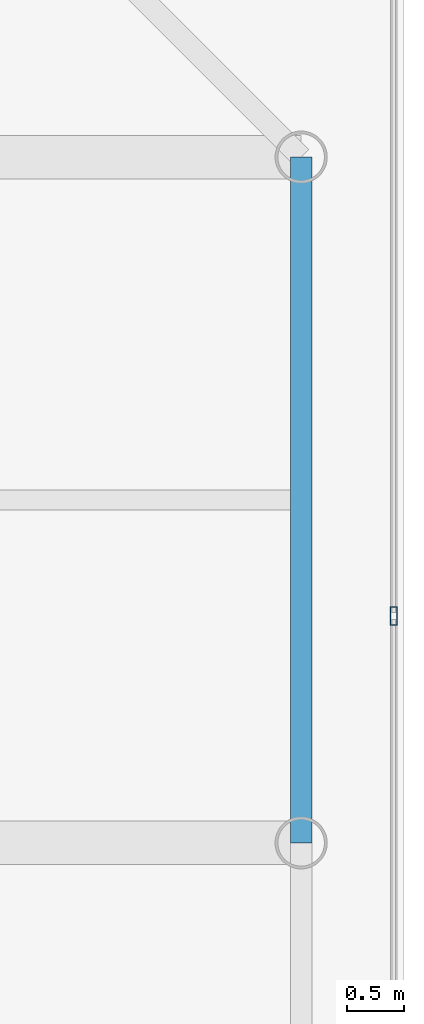
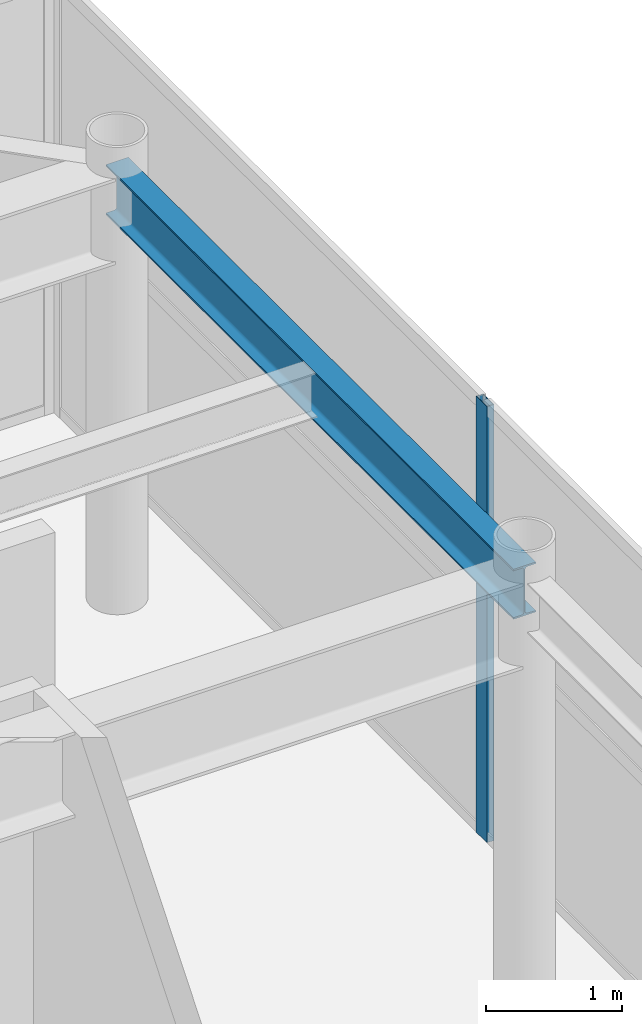
# One storey, part 19 of 32: 1 beam, 1 member, 1 element without a shape of its own.
"""IFC4 building model written with IfcOpenShell, lengths in metres."""

import ifcopenshell
import ifcopenshell.guid

model = None  # the IFC model being written
_history = None  # IfcOwnerHistory: only IFC2X3 demands one
_inside = {}  # id of a spatial element -> (the spatial element, [elements in it])
_under = {}  # id of a project, library or spatial element -> (it, [spatial elements below it])
_declared = {}  # id of a project -> (the project, [libraries it declares])
_typed = {}  # id of a type object -> (the type object, [elements of that type])
_made_of = {}  # id of a material, layer set ... -> (it, [elements and type objects made of it])


def new_model(schema):
    """Start an empty IFC model of exactly this schema.

    Asked for "IFC4X3", IfcOpenShell would pick the latest addendum, in which some entities
    have other attributes; the version numbers below select the first issue.
    IFC2X3 requires an IfcOwnerHistory on every rooted entity: one is made here for all.
    """
    global model, _history
    if schema == "IFC4X3":
        model = ifcopenshell.file(schema_version=(4, 3, 0, 0))
    else:
        model = ifcopenshell.file(schema=schema)
    _inside.clear()
    _under.clear()
    _declared.clear()
    _typed.clear()
    _made_of.clear()
    _history = None
    if model.schema == "IFC2X3":
        org = make("IfcOrganization", Name="unknown")
        user = make(
            "IfcPersonAndOrganization",
            ThePerson=make("IfcPerson", FamilyName="unknown"),
            TheOrganization=org,
        )
        app = make(
            "IfcApplication",
            ApplicationDeveloper=org,
            Version="unknown",
            ApplicationFullName="unknown",
            ApplicationIdentifier="unknown",
        )
        _history = make(
            "IfcOwnerHistory",
            OwningUser=user,
            OwningApplication=app,
            ChangeAction="ADDED",
            CreationDate=0,
        )
    return model


def make(cls, **values):
    """One entity of the class cls with the attributes given. An attribute that is None is left unset."""
    return model.create_entity(
        cls, **{name: value for name, value in values.items() if value is not None}
    )


def rooted(cls, **values):
    """An entity with a GlobalId (a new one), such as an element, a storey or a relation."""
    return make(cls, GlobalId=ifcopenshell.guid.new(), OwnerHistory=_history, **values)


def si_unit(unit_type, name, prefix=None):
    """IfcSIUnit, for example si_unit("LENGTHUNIT", "METRE", prefix="MILLI")."""
    return make("IfcSIUnit", UnitType=unit_type, Prefix=prefix, Name=name)


def assignment(units):
    """IfcUnitAssignment: the units of a project."""
    return None if units is None else make("IfcUnitAssignment", Units=units)


def point(xyz):
    """IfcCartesianPoint."""
    return None if xyz is None else make("IfcCartesianPoint", Coordinates=xyz)


def direction(xyz):
    """IfcDirection."""
    return None if xyz is None else make("IfcDirection", DirectionRatios=xyz)


def frame(location, z_axis=None, x_axis=None):
    """IfcAxis2Placement3D, a coordinate frame: its origin and axes. An axis left out is left unset."""
    return make(
        "IfcAxis2Placement3D",
        Location=point(location),
        Axis=direction(z_axis),
        RefDirection=direction(x_axis),
    )


def frame_2d(location, x_axis=None):
    """IfcAxis2Placement2D, a coordinate frame in the plane: its origin and x axis."""
    return make(
        "IfcAxis2Placement2D", Location=point(location), RefDirection=direction(x_axis)
    )


def origin():
    """The frame at (0, 0, 0) with its axes left unset."""
    return frame((0.0, 0.0, 0.0))


def origin_2d():
    """The frame at (0, 0) in the plane with its x axis left unset."""
    return frame_2d((0.0, 0.0))


def place(relative_to, where):
    """IfcLocalPlacement: puts the frame where relative to a parent placement (None: the world)."""
    return make(
        "IfcLocalPlacement", PlacementRelTo=relative_to, RelativePlacement=where
    )


def context(
    kind, dimensions, precision=None, world=None, true_north=None, identifier=None
):
    """IfcGeometricRepresentationContext, for example the 3D "Model" context."""
    return make(
        "IfcGeometricRepresentationContext",
        ContextIdentifier=identifier,
        ContextType=kind,
        CoordinateSpaceDimension=dimensions,
        Precision=precision,
        WorldCoordinateSystem=world,
        TrueNorth=true_north,
    )


def subcontext(parent, identifier, kind, view, scale=None):
    """IfcGeometricRepresentationSubContext, for example "Body" below "Model"."""
    return make(
        "IfcGeometricRepresentationSubContext",
        ContextIdentifier=identifier,
        ContextType=kind,
        ParentContext=parent,
        TargetScale=scale,
        TargetView=view,
    )


def project(units=None, contexts=None):
    """IfcProject with its units and contexts."""
    return rooted(
        "IfcProject",
        Name="project",
        RepresentationContexts=contexts,
        UnitsInContext=assignment(units),
    )


def spatial(cls, under=None, at=None, **own):
    """A site, building, storey or space (cls), placed at a placement, below another one or the project."""
    s = rooted(cls, ObjectPlacement=at, **own)
    if under is not None:
        _under.setdefault(under.id(), (under, []))[1].append(s)
    return s


def profile(cls, at=None, kind="AREA", **sizes):
    """A parametric profile (cls). Its sizes go by their IFC names, for example OverallWidth=200.0."""
    return make(cls, ProfileType=kind, Position=at, **sizes)


def hollow_rectangle(**sizes):
    """IfcRectangleHollowProfileDef."""
    return profile("IfcRectangleHollowProfileDef", **sizes)


def i_section(**sizes):
    """IfcIShapeProfileDef."""
    return profile("IfcIShapeProfileDef", **sizes)


def extrude(swept, where, along, depth):
    """IfcExtrudedAreaSolid: the profile swept, set in the frame where, extruded along a direction by depth."""
    return make(
        "IfcExtrudedAreaSolid",
        SweptArea=swept,
        Position=where,
        ExtrudedDirection=direction(along),
        Depth=depth,
    )


def shape(context_of_items, identifier, shape_type, items):
    """IfcShapeRepresentation: the items that make up one representation, for example the "Body"."""
    return make(
        "IfcShapeRepresentation",
        ContextOfItems=context_of_items,
        RepresentationIdentifier=identifier,
        RepresentationType=shape_type,
        Items=items,
    )


def source(mapping_origin, context_of_items, identifier, shape_type, items):
    """IfcRepresentationMap: a shape defined once, which mapped items show again and again."""
    return make(
        "IfcRepresentationMap",
        MappingOrigin=mapping_origin,
        MappedRepresentation=shape(context_of_items, identifier, shape_type, items),
    )


def transform(
    local_origin,
    x_axis=None,
    y_axis=None,
    z_axis=None,
    scale=None,
    scale2=None,
    scale3=None,
    uniform=True,
):
    """IfcCartesianTransformationOperator3D, or its non-uniform kind. x_axis, y_axis, z_axis: its Axis1, 2, 3."""
    if uniform:
        return make(
            "IfcCartesianTransformationOperator3D",
            Axis1=direction(x_axis),
            Axis2=direction(y_axis),
            LocalOrigin=point(local_origin),
            Scale=scale,
            Axis3=direction(z_axis),
        )
    return make(
        "IfcCartesianTransformationOperator3DnonUniform",
        Axis1=direction(x_axis),
        Axis2=direction(y_axis),
        LocalOrigin=point(local_origin),
        Scale=scale,
        Axis3=direction(z_axis),
        Scale2=scale2,
        Scale3=scale3,
    )


def mapped(mapping_source, mapping_target):
    """IfcMappedItem: shows the shape of a source again, moved by a transform."""
    return make(
        "IfcMappedItem", MappingSource=mapping_source, MappingTarget=mapping_target
    )


def material(Name=None, Category=None):
    """IfcMaterial."""
    return make("IfcMaterial", Name=Name, Category=Category)


def layer(
    of_material, thickness, ventilated=None, Name=None, Category=None, Priority=None
):
    """IfcMaterialLayer: one layer of a wall or slab, of a material (None: an air gap)."""
    return make(
        "IfcMaterialLayer",
        Material=of_material,
        LayerThickness=thickness,
        IsVentilated=ventilated,
        Name=Name,
        Category=Category,
        Priority=Priority,
    )


def layer_set(layers, Name=None):
    """IfcMaterialLayerSet."""
    return make("IfcMaterialLayerSet", MaterialLayers=layers, LayerSetName=Name)


def material_profile(
    of_material, cross_section, Name=None, Category=None, Priority=None
):
    """IfcMaterialProfile: a cross section and its material."""
    return make(
        "IfcMaterialProfile",
        Name=Name,
        Material=of_material,
        Profile=cross_section,
        Priority=Priority,
        Category=Category,
    )


def profile_set(profiles, Name=None, composite=None):
    """IfcMaterialProfileSet."""
    return make(
        "IfcMaterialProfileSet",
        Name=Name,
        MaterialProfiles=profiles,
        CompositeProfile=composite,
    )


def made_of(thing, what):
    """Note that an element or type object is made of a material, layer set ...; save() writes the relation."""
    if what is not None:
        _made_of.setdefault(what.id(), (what, []))[1].append(thing)
    return thing


def type_object(cls, material=None, **own):
    """A type object (cls), such as IfcWallType, which elements share."""
    return made_of(rooted(cls, **own), material)


def element(
    cls,
    number,
    at=None,
    inside=None,
    cuts=None,
    type_object=None,
    material=None,
    context=None,
    identifier="Body",
    shape_type=None,
    held_by="IfcProductDefinitionShape",
    body=None,
    shapes=None,
    **own,
):
    """One element of the class cls, such as IfcWall. Its Tag is "e" and its number.

    at: its placement. inside: the storey or other place that contains it. cuts: it is an
    opening in that element (IfcRelVoidsElement). A single representation is given by context,
    identifier, shape_type and body (its items); several are given by shapes. held_by: the class
    of the entity that holds the representations. save() writes the other relations.
    """
    e = rooted(cls, Tag="e%d" % number, ObjectPlacement=at, **own)
    if body is not None:
        shapes = [shape(context, identifier, shape_type, body)]
    if shapes is not None:
        e.Representation = make(held_by, Representations=shapes)
    if inside is not None:
        _inside.setdefault(inside.id(), (inside, []))[1].append(e)
    if cuts is not None:
        rooted(
            "IfcRelVoidsElement", RelatingBuildingElement=cuts, RelatedOpeningElement=e
        )
    if type_object is not None:
        _typed.setdefault(type_object.id(), (type_object, []))[1].append(e)
    return made_of(e, material)


def aggregate(whole, parts):
    """IfcRelAggregates: a whole, such as a stair, and the parts it consists of."""
    return rooted("IfcRelAggregates", RelatingObject=whole, RelatedObjects=parts)


def save(model, path):
    """Write the relations noted so far, then the file.

    IfcRelAggregates (storeys below a building ...), IfcRelContainedInSpatialStructure (elements
    in a storey), IfcRelDefinesByType, IfcRelAssociatesMaterial and IfcRelDeclares: one each for
    every whole, place, type object, material and project.
    """
    for whole, parts in _under.values():
        aggregate(whole, parts)
    for where, things in _inside.values():
        rooted(
            "IfcRelContainedInSpatialStructure",
            RelatedElements=things,
            RelatingStructure=where,
        )
    for kind, things in _typed.values():
        rooted("IfcRelDefinesByType", RelatedObjects=things, RelatingType=kind)
    for what, things in _made_of.values():
        rooted("IfcRelAssociatesMaterial", RelatedObjects=things, RelatingMaterial=what)
    for by, libraries in _declared.values():
        rooted("IfcRelDeclares", RelatingContext=by, RelatedDefinitions=libraries)
    model.write(path)


model = new_model("IFC4")

# Units and contexts
model_context = context("Model", 3, precision=1e-05, world=origin(), true_north=direction((0.0, 1.0)))
body_context = subcontext(model_context, "Body", "Model", "MODEL_VIEW")
ifc_project = project(units=[si_unit("LENGTHUNIT", "METRE"), si_unit("AREAUNIT", "SQUARE_METRE"), si_unit("VOLUMEUNIT", "CUBIC_METRE"), si_unit("PLANEANGLEUNIT", "RADIAN"), si_unit("MASSUNIT", "GRAM", prefix="KILO")], contexts=[model_context])

# Site, building, storey
site_placement = place(None, origin())
site = spatial("IfcSite", under=ifc_project, at=site_placement, CompositionType="ELEMENT")
building_placement = place(site_placement, origin())
building = spatial("IfcBuilding", under=site, at=building_placement, Name="Khoralis Quay Care Tower", CompositionType="ELEMENT")
storey_placement = place(building_placement, frame((0.0, 0.0, 310.5)))
storey = spatial("IfcBuildingStorey", under=building, at=storey_placement, Name="L81", CompositionType="ELEMENT", Elevation=310.5)

# Beam
ifc_material_1 = material(Name="Steel S355", Category="steel")
ifc_material_profile_1 = material_profile(ifc_material_1, i_section(OverallWidth=0.18994140625, OverallDepth=0.449951171875, WebThickness=0.009521484375, FlangeThickness=0.0146484375, FilletRadius=0.02099609375, at=origin_2d()), Name="Steel S355")
ifc_profile_set_1 = profile_set([ifc_material_profile_1], Name="Steel S355")
beam_type = type_object("IfcBeamType", Name="BM-IPE450", PredefinedType="SPANDREL", material=ifc_profile_set_1)
shared_shape_1 = source(origin(), body_context, "Body", "SweptSolid", [
    extrude(i_section(OverallWidth=0.18994140625, OverallDepth=0.449951171875, WebThickness=0.009521484375, FlangeThickness=0.0146484375, FilletRadius=0.02099609375, at=origin_2d()), origin(), (0.0, 0.0, 1.0), 6.0),
])
beam_placement = place(storey_placement, frame((41.10009765625, 30.0, 3.695068359375), z_axis=(0.0, 1.0, 0.0), x_axis=(-1.0, 0.0, 0.0)))
element("IfcBeam", 1, at=beam_placement, inside=storey, type_object=beam_type, Name="BM-TSP-L81-16", PredefinedType="SPANDREL", context=body_context, shape_type="MappedRepresentation", body=[
    mapped(shared_shape_1, transform((0.0, 0.0, 0.0), scale=1.0)),
])

# Curtain wall, member
ifc_material_2 = material(Name="Pale anodised aluminium", Category="aluminium")
ifc_layer = layer(ifc_material_2, 0.199951171875)
ifc_layer_set = layer_set([ifc_layer], Name="Pale anodised aluminium")
curtain_wall_type = type_object("IfcCurtainWallType", Name="CW-SYS-LANTERN", PredefinedType="NOTDEFINED", material=ifc_layer_set)
curtain_wall_placement = place(storey_placement, origin())
curtain_wall = element("IfcCurtainWall", 2, at=curtain_wall_placement, inside=storey, type_object=curtain_wall_type, Name="L81 Unitised Curtain Wall CW-LN-L81-06", PredefinedType="NOTDEFINED")
ifc_material_profile_2 = material_profile(ifc_material_2, hollow_rectangle(XDim=0.06005859375, YDim=0.159912109375, WallThickness=0.00390625, at=origin_2d()), Name="Pale anodised aluminium")
ifc_profile_set_2 = profile_set([ifc_material_profile_2], Name="Pale anodised aluminium")
member_type = type_object("IfcMemberType", Name="CW-MUL-160", PredefinedType="MULLION", material=ifc_profile_set_2)
shared_shape_2 = source(origin(), body_context, "Body", "SweptSolid", [
    extrude(hollow_rectangle(XDim=0.06005859375, YDim=0.159912109375, WallThickness=0.00390625, at=origin_2d()), origin(), (0.0, 0.0, 1.0), 3.919921875),
])
member_placement = place(storey_placement, frame((41.909912109375, 31.986083984375, 0.0), z_axis=(0.0, 0.0, 1.0), x_axis=(-1.0, 0.0, 0.0)))
member = element("IfcMember", 3, at=member_placement, type_object=member_type, Name="CW5 mullion 5", PredefinedType="MULLION", context=body_context, shape_type="MappedRepresentation", body=[
    mapped(shared_shape_2, transform((0.0, 0.0, 0.0), scale=1.0)),
])
aggregate(curtain_wall, [member])

save(model, "model.ifc")
